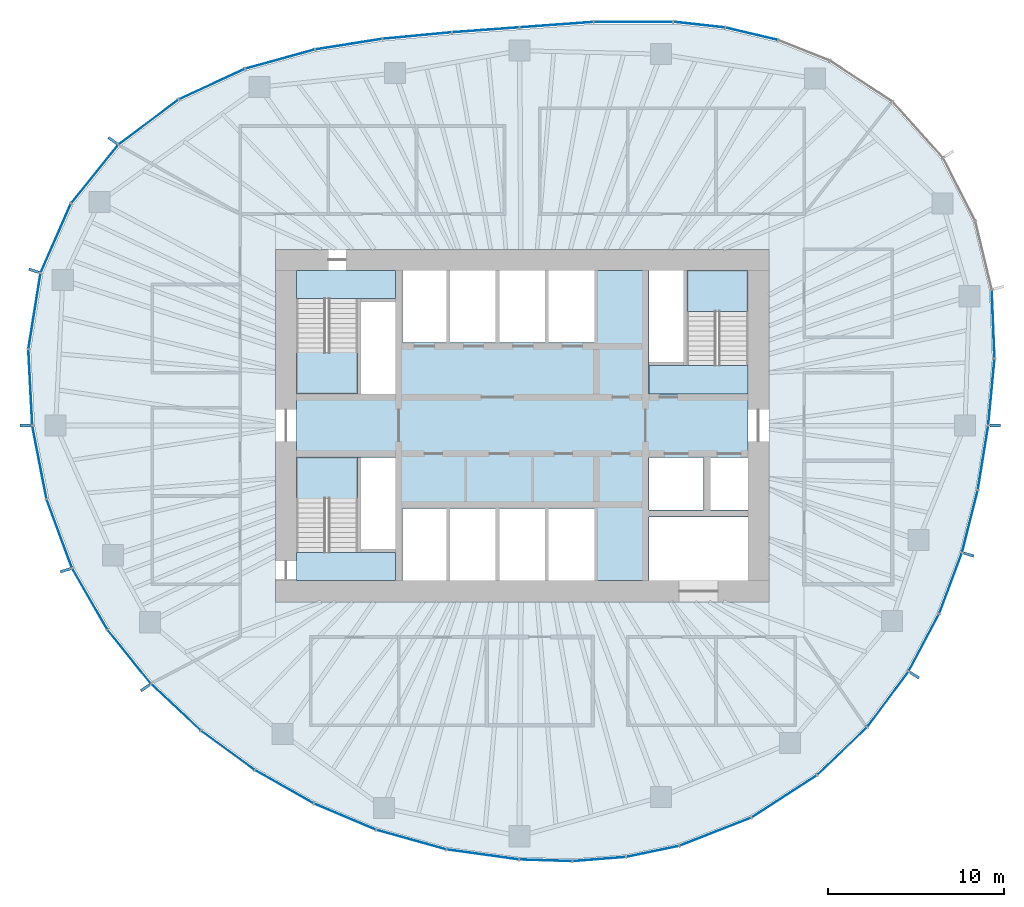
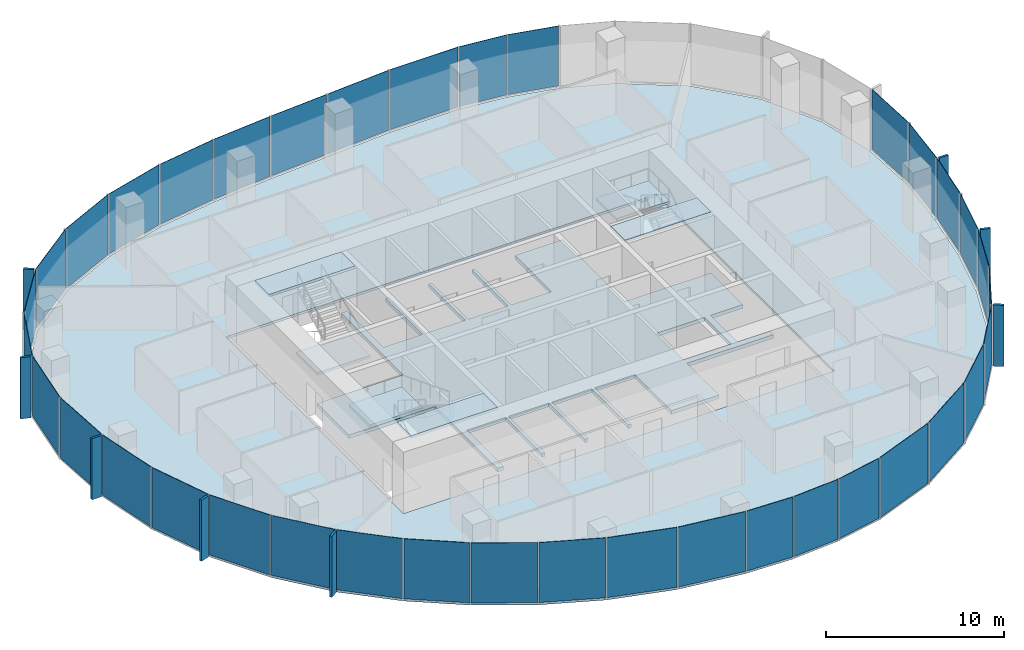
# One storey, part 7 of 12: 45 plates, 8 slabs, 21 elements without a shape of their own.
"""IFC4 building model written with IfcOpenShell, lengths in metres."""

from ifc_helpers import new_model, si_unit, direction, frame, origin, origin_2d, place, context, subcontext, project, spatial, polyline, rectangle, outline, extrude, material, layer, layer_set, type_object, element, aggregate, save


model = new_model("IFC4")

# Units and contexts
model_context = context("Model", 3, precision=1e-05, world=origin(), true_north=direction((0.0, 1.0)))
body_context = subcontext(model_context, "Body", "Model", "MODEL_VIEW")
ifc_project = project(units=[si_unit("LENGTHUNIT", "METRE"), si_unit("AREAUNIT", "SQUARE_METRE"), si_unit("VOLUMEUNIT", "CUBIC_METRE"), si_unit("PLANEANGLEUNIT", "RADIAN"), si_unit("MASSUNIT", "GRAM", prefix="KILO")], contexts=[model_context])

# Site, building, storey
site_placement = place(None, origin())
site = spatial("IfcSite", under=ifc_project, at=site_placement, CompositionType="ELEMENT")
building_placement = place(site_placement, origin())
building = spatial("IfcBuilding", under=site, at=building_placement, Name="Ghaith Harvest Tower", CompositionType="ELEMENT")
storey_placement = place(building_placement, frame((0.0, 0.0, 249.39990234375)))
storey = spatial("IfcBuildingStorey", under=building, at=storey_placement, Name="L55", CompositionType="ELEMENT", Elevation=249.39990234375)

# Curtain wall, plates
ifc_material_1 = material(Name="Black anodised aluminium and fritted glass", Category="aluminium")
curtain_wall_type = type_object("IfcCurtainWallType", Name="CW-H CURTAIN WALL", PredefinedType="NOTDEFINED", material=ifc_material_1)
curtain_wall_1_placement = place(storey_placement, origin())
curtain_wall_1 = element("IfcCurtainWall", 1, at=curtain_wall_1_placement, inside=storey, type_object=curtain_wall_type, Name="Curtain wall CW-H bay 01 L55", PredefinedType="NOTDEFINED")
ifc_material_2 = material(Name="Glass, dark solar-control fritted double glazed unit", Category="glass")
ifc_layer_1 = layer(ifc_material_2, 0.030029296875)
ifc_layer_set_1 = layer_set([ifc_layer_1], Name="CW-H VISION PANEL")
plate_type_1 = type_object("IfcPlateType", Name="CW-H VISION PANEL", PredefinedType="CURTAIN_PANEL", material=ifc_layer_set_1)
plate_1_placement = place(storey_placement, frame((26.624755859375, 1.89794921875, 0.080078125), z_axis=(0.0, 0.0, 1.0), x_axis=(0.094301909937, 0.995543645343, 0.0)))
plate_1 = element("IfcPlate", 2, at=plate_1_placement, type_object=plate_type_1, Name="CW-H glass unit 1 bay 01 L55", PredefinedType="CURTAIN_PANEL", context=body_context, shape_type="SweptSolid", body=[
    extrude(rectangle(XDim=3.73291015625, YDim=0.030029296875, at=origin_2d()), origin(), (0.0, 0.0, 1.0), 4.1201171875),
])
plate_2_placement = place(storey_placement, frame((26.7255859375, 5.74853515625, 0.080078125), z_axis=(0.0, 0.0, 1.0), x_axis=(-0.040462173218, 0.999181070947, 0.0)))
plate_2 = element("IfcPlate", 3, at=plate_2_placement, type_object=plate_type_1, Name="CW-H glass unit 2 bay 01 L55", PredefinedType="CURTAIN_PANEL", context=body_context, shape_type="SweptSolid", body=[
    extrude(rectangle(XDim=3.82861328125, YDim=0.030029296875, at=origin_2d()), origin(), (0.0, 0.0, 1.0), 4.1201171875),
])
aggregate(curtain_wall_1, [plate_1, plate_2])

curtain_wall_2_placement = place(storey_placement, origin())
curtain_wall_2 = element("IfcCurtainWall", 4, at=curtain_wall_2_placement, inside=storey, type_object=curtain_wall_type, Name="Curtain wall CW-H bay 04 L55", PredefinedType="NOTDEFINED")
plate_3_placement = place(storey_placement, frame((13.027099609375, 22.225341796875, 0.080078125), z_axis=(0.0, 0.0, 1.0), x_axis=(-0.973266235028, 0.229679854916, 0.0)))
plate_3 = element("IfcPlate", 5, at=plate_3_placement, type_object=plate_type_1, Name="CW-H glass unit 2 bay 04 L55", PredefinedType="CURTAIN_PANEL", context=body_context, shape_type="SweptSolid", body=[
    extrude(rectangle(XDim=3.00244140625, YDim=0.030029296875, at=origin_2d()), origin(), (0.0, 0.0, 1.0), 4.1201171875),
])
plate_4_placement = place(storey_placement, frame((10.045654296875, 22.744384765625, 0.080078125), z_axis=(0.0, 0.0, 1.0), x_axis=(-0.993865217442, 0.11059805405, 0.0)))
plate_4 = element("IfcPlate", 6, at=plate_4_placement, type_object=plate_type_1, Name="CW-H glass unit 3 bay 04 L55", PredefinedType="CURTAIN_PANEL", context=body_context, shape_type="SweptSolid", body=[
    extrude(rectangle(XDim=2.901123046875, YDim=0.030029296875, at=origin_2d()), origin(), (0.0, 0.0, 1.0), 4.1201171875),
])
aggregate(curtain_wall_2, [plate_3, plate_4])

curtain_wall_3_placement = place(storey_placement, origin())
curtain_wall_3 = element("IfcCurtainWall", 7, at=curtain_wall_3_placement, inside=storey, type_object=curtain_wall_type, Name="Curtain wall CW-H bay 05 L55", PredefinedType="NOTDEFINED")
plate_5_placement = place(storey_placement, frame((6.31201171875, 22.904296875, 0.080078125), z_axis=(0.0, 0.0, 1.0), x_axis=(-0.999997643645, -0.002170876291, 0.0)))
plate_5 = element("IfcPlate", 8, at=plate_5_placement, type_object=plate_type_1, Name="CW-H glass unit 1 bay 05 L55", PredefinedType="CURTAIN_PANEL", context=body_context, shape_type="SweptSolid", body=[
    extrude(rectangle(XDim=4.4248046875, YDim=0.030029296875, at=origin_2d()), origin(), (0.0, 0.0, 1.0), 4.1201171875),
])
plate_6_placement = place(storey_placement, frame((1.952392578125, 22.744873046875, 0.080078125), z_axis=(0.0, 0.0, 1.0), x_axis=(-0.997324570719, -0.073100619976, 0.0)))
plate_6 = element("IfcPlate", 9, at=plate_6_placement, type_object=plate_type_1, Name="CW-H glass unit 2 bay 05 L55", PredefinedType="CURTAIN_PANEL", context=body_context, shape_type="SweptSolid", body=[
    extrude(rectangle(XDim=4.1455078125, YDim=0.030029296875, at=origin_2d()), origin(), (0.0, 0.0, 1.0), 4.1201171875),
])
aggregate(curtain_wall_3, [plate_5, plate_6])

curtain_wall_4_placement = place(storey_placement, origin())
curtain_wall_4 = element("IfcCurtainWall", 10, at=curtain_wall_4_placement, inside=storey, type_object=curtain_wall_type, Name="Curtain wall CW-H bay 06 L55", PredefinedType="NOTDEFINED")
plate_7_placement = place(storey_placement, frame((-2.0693359375, 22.450439453125, 0.080078125), z_axis=(0.0, 0.0, 1.0), x_axis=(-0.997334393671, -0.072966479985, 0.0)))
plate_7 = element("IfcPlate", 11, at=plate_7_placement, type_object=plate_type_1, Name="CW-H glass unit 1 bay 06 L55", PredefinedType="CURTAIN_PANEL", context=body_context, shape_type="SweptSolid", body=[
    extrude(rectangle(XDim=3.759765625, YDim=0.030029296875, at=origin_2d()), origin(), (0.0, 0.0, 1.0), 4.1201171875),
])
plate_8_placement = place(storey_placement, frame((-5.954345703125, 22.12548828125, 0.080078125), z_axis=(0.0, 0.0, 1.0), x_axis=(-0.995631991968, -0.093364535934, 0.0)))
plate_8 = element("IfcPlate", 12, at=plate_8_placement, type_object=plate_type_1, Name="CW-H glass unit 2 bay 06 L55", PredefinedType="CURTAIN_PANEL", context=body_context, shape_type="SweptSolid", body=[
    extrude(rectangle(XDim=3.87744140625, YDim=0.030029296875, at=origin_2d()), origin(), (0.0, 0.0, 1.0), 4.1201171875),
])
aggregate(curtain_wall_4, [plate_7, plate_8])

curtain_wall_5_placement = place(storey_placement, origin())
curtain_wall_5 = element("IfcCurtainWall", 13, at=curtain_wall_5_placement, inside=storey, type_object=curtain_wall_type, Name="Curtain wall CW-H bay 07 L55", PredefinedType="NOTDEFINED")
plate_9_placement = place(storey_placement, frame((-9.83837890625, 21.638671875, 0.080078125), z_axis=(0.0, 0.0, 1.0), x_axis=(-0.98777033338, -0.155915901993, 0.0)))
plate_9 = element("IfcPlate", 14, at=plate_9_placement, type_object=plate_type_1, Name="CW-H glass unit 1 bay 07 L55", PredefinedType="CURTAIN_PANEL", context=body_context, shape_type="SweptSolid", body=[
    extrude(rectangle(XDim=3.795166015625, YDim=0.030029296875, at=origin_2d()), origin(), (0.0, 0.0, 1.0), 4.1201171875),
])
plate_10_placement = place(storey_placement, frame((-13.736572265625, 20.78955078125, 0.080078125), z_axis=(0.0, 0.0, 1.0), x_axis=(-0.964034113875, -0.26577853052, 0.0)))
plate_10 = element("IfcPlate", 15, at=plate_10_placement, type_object=plate_type_1, Name="CW-H glass unit 2 bay 07 L55", PredefinedType="CURTAIN_PANEL", context=body_context, shape_type="SweptSolid", body=[
    extrude(rectangle(XDim=4.03662109375, YDim=0.030029296875, at=origin_2d()), origin(), (0.0, 0.0, 1.0), 4.1201171875),
])
aggregate(curtain_wall_5, [plate_9, plate_10])

curtain_wall_6_placement = place(storey_placement, origin())
curtain_wall_6 = element("IfcCurtainWall", 16, at=curtain_wall_6_placement, inside=storey, type_object=curtain_wall_type, Name="Curtain wall CW-H bay 08 L55", PredefinedType="NOTDEFINED")
plate_11_placement = place(storey_placement, frame((-17.608154296875, 19.370849609375, 0.080078125), z_axis=(0.0, 0.0, 1.0), x_axis=(-0.907814470414, -0.419372015408, 0.0)))
plate_11 = element("IfcPlate", 17, at=plate_11_placement, type_object=plate_type_1, Name="CW-H glass unit 1 bay 08 L55", PredefinedType="CURTAIN_PANEL", context=body_context, shape_type="SweptSolid", body=[
    extrude(rectangle(XDim=4.077392578125, YDim=0.030029296875, at=origin_2d()), origin(), (0.0, 0.0, 1.0), 4.1201171875),
])
plate_12_placement = place(storey_placement, frame((-21.20166015625, 17.219482421875, 0.080078125), z_axis=(0.0, 0.0, 1.0), x_axis=(-0.800067053187, -0.599910585341, 0.0)))
plate_12 = element("IfcPlate", 18, at=plate_12_placement, type_object=plate_type_1, Name="CW-H glass unit 2 bay 08 L55", PredefinedType="CURTAIN_PANEL", context=body_context, shape_type="SweptSolid", body=[
    extrude(rectangle(XDim=4.18603515625, YDim=0.030029296875, at=origin_2d()), origin(), (0.0, 0.0, 1.0), 4.1201171875),
])
aggregate(curtain_wall_6, [plate_11, plate_12])

curtain_wall_7_placement = place(storey_placement, origin())
curtain_wall_7 = element("IfcCurtainWall", 19, at=curtain_wall_7_placement, inside=storey, type_object=curtain_wall_type, Name="Curtain wall CW-H bay 09 L55", PredefinedType="NOTDEFINED")
plate_13_placement = place(storey_placement, frame((-24.25390625, 14.270263671875, 0.080078125), z_axis=(0.0, 0.0, 1.0), x_axis=(-0.627547637499, -0.778578167347, 0.0)))
plate_13 = element("IfcPlate", 20, at=plate_13_placement, type_object=plate_type_1, Name="CW-H glass unit 1 bay 09 L55", PredefinedType="CURTAIN_PANEL", context=body_context, shape_type="SweptSolid", body=[
    extrude(rectangle(XDim=4.208740234375, YDim=0.030029296875, at=origin_2d()), origin(), (0.0, 0.0, 1.0), 4.1201171875),
])
plate_14_placement = place(storey_placement, frame((-26.462646484375, 10.63037109375, 0.080078125), z_axis=(0.0, 0.0, 1.0), x_axis=(-0.40121291108, -0.915984825192, 0.0)))
plate_14 = element("IfcPlate", 21, at=plate_14_placement, type_object=plate_type_1, Name="CW-H glass unit 2 bay 09 L55", PredefinedType="CURTAIN_PANEL", context=body_context, shape_type="SweptSolid", body=[
    extrude(rectangle(XDim=4.22216796875, YDim=0.030029296875, at=origin_2d()), origin(), (0.0, 0.0, 1.0), 4.1201171875),
])
aggregate(curtain_wall_7, [plate_13, plate_14])

curtain_wall_8_placement = place(storey_placement, origin())
curtain_wall_8 = element("IfcCurtainWall", 22, at=curtain_wall_8_placement, inside=storey, type_object=curtain_wall_type, Name="Curtain wall CW-H bay 10 L55", PredefinedType="NOTDEFINED")
plate_15_placement = place(storey_placement, frame((-27.670654296875, 6.49658203125, 0.080078125), z_axis=(0.0, 0.0, 1.0), x_axis=(-0.157514341695, -0.987516699687, 0.0)))
plate_15 = element("IfcPlate", 23, at=plate_15_placement, type_object=plate_type_1, Name="CW-H glass unit 1 bay 10 L55", PredefinedType="CURTAIN_PANEL", context=body_context, shape_type="SweptSolid", body=[
    extrude(rectangle(XDim=4.301513671875, YDim=0.030029296875, at=origin_2d()), origin(), (0.0, 0.0, 1.0), 4.1201171875),
])
plate_16_placement = place(storey_placement, frame((-27.905517578125, 2.16650390625, 0.080078125), z_axis=(0.0, 0.0, 1.0), x_axis=(0.050894857592, -0.998704016949, 0.0)))
plate_16 = element("IfcPlate", 24, at=plate_16_placement, type_object=plate_type_1, Name="CW-H glass unit 2 bay 10 L55", PredefinedType="CURTAIN_PANEL", context=body_context, shape_type="SweptSolid", body=[
    extrude(rectangle(XDim=4.2587890625, YDim=0.030029296875, at=origin_2d()), origin(), (0.0, 0.0, 1.0), 4.1201171875),
])
aggregate(curtain_wall_8, [plate_15, plate_16])

curtain_wall_9_placement = place(storey_placement, origin())
curtain_wall_9 = element("IfcCurtainWall", 25, at=curtain_wall_9_placement, inside=storey, type_object=curtain_wall_type, Name="Curtain wall CW-H bay 11 L55", PredefinedType="NOTDEFINED")
plate_17_placement = place(storey_placement, frame((-27.39013671875, -2.0869140625, 0.080078125), z_axis=(0.0, 0.0, 1.0), x_axis=(0.190426809322, -0.981701395686, 0.0)))
plate_17 = element("IfcPlate", 26, at=plate_17_placement, type_object=plate_type_1, Name="CW-H glass unit 1 bay 11 L55", PredefinedType="CURTAIN_PANEL", context=body_context, shape_type="SweptSolid", body=[
    extrude(rectangle(XDim=4.171630859375, YDim=0.030029296875, at=origin_2d()), origin(), (0.0, 0.0, 1.0), 4.1201171875),
])
plate_18_placement = place(storey_placement, frame((-26.261962890625, -6.1337890625, 0.080078125), z_axis=(0.0, 0.0, 1.0), x_axis=(0.346303431688, -0.938122557666, 0.0)))
plate_18 = element("IfcPlate", 27, at=plate_18_placement, type_object=plate_type_1, Name="CW-H glass unit 2 bay 11 L55", PredefinedType="CURTAIN_PANEL", context=body_context, shape_type="SweptSolid", body=[
    extrude(rectangle(XDim=4.098388671875, YDim=0.030029296875, at=origin_2d()), origin(), (0.0, 0.0, 1.0), 4.1201171875),
])
aggregate(curtain_wall_9, [plate_17, plate_18])

curtain_wall_10_placement = place(storey_placement, origin())
curtain_wall_10 = element("IfcCurtainWall", 28, at=curtain_wall_10_placement, inside=storey, type_object=curtain_wall_type, Name="Curtain wall CW-H bay 12 L55", PredefinedType="NOTDEFINED")
plate_19_placement = place(storey_placement, frame((-24.535888671875, -9.838623046875, 0.080078125), z_axis=(0.0, 0.0, 1.0), x_axis=(0.49818018945, -0.867073525625, 0.0)))
plate_19 = element("IfcPlate", 29, at=plate_19_placement, type_object=plate_type_1, Name="CW-H glass unit 1 bay 12 L55", PredefinedType="CURTAIN_PANEL", context=body_context, shape_type="SweptSolid", body=[
    extrude(rectangle(XDim=3.945068359375, YDim=0.030029296875, at=origin_2d()), origin(), (0.0, 0.0, 1.0), 4.1201171875),
])
plate_20_placement = place(storey_placement, frame((-22.29736328125, -13.119140625, 0.080078125), z_axis=(0.0, 0.0, 1.0), x_axis=(0.626957061695, -0.779053812513, 0.0)))
plate_20 = element("IfcPlate", 30, at=plate_20_placement, type_object=plate_type_1, Name="CW-H glass unit 2 bay 12 L55", PredefinedType="CURTAIN_PANEL", context=body_context, shape_type="SweptSolid", body=[
    extrude(rectangle(XDim=3.8623046875, YDim=0.030029296875, at=origin_2d()), origin(), (0.0, 0.0, 1.0), 4.1201171875),
])
aggregate(curtain_wall_10, [plate_19, plate_20])

curtain_wall_11_placement = place(storey_placement, origin())
curtain_wall_11 = element("IfcCurtainWall", 31, at=curtain_wall_11_placement, inside=storey, type_object=curtain_wall_type, Name="Curtain wall CW-H bay 13 L55", PredefinedType="NOTDEFINED")
plate_21_placement = place(storey_placement, frame((-19.649658203125, -15.98046875, 0.080078125), z_axis=(0.0, 0.0, 1.0), x_axis=(0.729016864325, -0.684495735217, 0.0)))
plate_21 = element("IfcPlate", 32, at=plate_21_placement, type_object=plate_type_1, Name="CW-H glass unit 1 bay 13 L55", PredefinedType="CURTAIN_PANEL", context=body_context, shape_type="SweptSolid", body=[
    extrude(rectangle(XDim=3.793212890625, YDim=0.030029296875, at=origin_2d()), origin(), (0.0, 0.0, 1.0), 4.1201171875),
])
plate_22_placement = place(storey_placement, frame((-16.707763671875, -18.42431640625, 0.080078125), z_axis=(0.0, 0.0, 1.0), x_axis=(0.80736351134, -0.590054370848, 0.0)))
plate_22 = element("IfcPlate", 33, at=plate_22_placement, type_object=plate_type_1, Name="CW-H glass unit 2 bay 13 L55", PredefinedType="CURTAIN_PANEL", context=body_context, shape_type="SweptSolid", body=[
    extrude(rectangle(XDim=3.710693359375, YDim=0.030029296875, at=origin_2d()), origin(), (0.0, 0.0, 1.0), 4.1201171875),
])
aggregate(curtain_wall_11, [plate_21, plate_22])

curtain_wall_12_placement = place(storey_placement, origin())
curtain_wall_12 = element("IfcCurtainWall", 34, at=curtain_wall_12_placement, inside=storey, type_object=curtain_wall_type, Name="Curtain wall CW-H bay 14 L55", PredefinedType="NOTDEFINED")
plate_23_placement = place(storey_placement, frame((-13.496337890625, -20.496826171875, 0.080078125), z_axis=(0.0, 0.0, 1.0), x_axis=(0.869715300233, -0.493553742303, 0.0)))
plate_23 = element("IfcPlate", 35, at=plate_23_placement, type_object=plate_type_1, Name="CW-H glass unit 1 bay 14 L55", PredefinedType="CURTAIN_PANEL", context=body_context, shape_type="SweptSolid", body=[
    extrude(rectangle(XDim=3.785888671875, YDim=0.030029296875, at=origin_2d()), origin(), (0.0, 0.0, 1.0), 4.1201171875),
])
plate_24_placement = place(storey_placement, frame((-10.050537109375, -22.1962890625, 0.080078125), z_axis=(0.0, 0.0, 1.0), x_axis=(0.921181516072, -0.389133157734, 0.0)))
plate_24 = element("IfcPlate", 36, at=plate_24_placement, type_object=plate_type_1, Name="CW-H glass unit 2 bay 14 L55", PredefinedType="CURTAIN_PANEL", context=body_context, shape_type="SweptSolid", body=[
    extrude(rectangle(XDim=3.751220703125, YDim=0.030029296875, at=origin_2d()), origin(), (0.0, 0.0, 1.0), 4.1201171875),
])
aggregate(curtain_wall_12, [plate_23, plate_24])

curtain_wall_13_placement = place(storey_placement, origin())
curtain_wall_13 = element("IfcCurtainWall", 37, at=curtain_wall_13_placement, inside=storey, type_object=curtain_wall_type, Name="Curtain wall CW-H bay 15 L55", PredefinedType="NOTDEFINED")
plate_25_placement = place(storey_placement, frame((-6.291015625, -23.49853515625, 0.080078125), z_axis=(0.0, 0.0, 1.0), x_axis=(0.963162861349, -0.268918765647, 0.0)))
plate_25 = element("IfcPlate", 38, at=plate_25_placement, type_object=plate_type_1, Name="CW-H glass unit 1 bay 15 L55", PredefinedType="CURTAIN_PANEL", context=body_context, shape_type="SweptSolid", body=[
    extrude(rectangle(XDim=4.062744140625, YDim=0.030029296875, at=origin_2d()), origin(), (0.0, 0.0, 1.0), 4.1201171875),
])
plate_26_placement = place(storey_placement, frame((-2.232177734375, -24.34033203125, 0.080078125), z_axis=(0.0, 0.0, 1.0), x_axis=(0.990612268407, -0.136701622823, 0.0)))
plate_26 = element("IfcPlate", 39, at=plate_26_placement, type_object=plate_type_1, Name="CW-H glass unit 2 bay 15 L55", PredefinedType="CURTAIN_PANEL", context=body_context, shape_type="SweptSolid", body=[
    extrude(rectangle(XDim=4.08642578125, YDim=0.030029296875, at=origin_2d()), origin(), (0.0, 0.0, 1.0), 4.1201171875),
])
aggregate(curtain_wall_13, [plate_25, plate_26])

curtain_wall_14_placement = place(storey_placement, origin())
curtain_wall_14 = element("IfcCurtainWall", 40, at=curtain_wall_14_placement, inside=storey, type_object=curtain_wall_type, Name="Curtain wall CW-H bay 16 L55", PredefinedType="NOTDEFINED")
plate_27_placement = place(storey_placement, frame((1.339599609375, -24.67333984375, 0.080078125), z_axis=(0.0, 0.0, 1.0), x_axis=(0.99949125523, -0.031894054587, 0.0)))
plate_27 = element("IfcPlate", 41, at=plate_27_placement, type_object=plate_type_1, Name="CW-H glass unit 1 bay 16 L55", PredefinedType="CURTAIN_PANEL", context=body_context, shape_type="SweptSolid", body=[
    extrude(rectangle(XDim=2.937744140625, YDim=0.030029296875, at=origin_2d()), origin(), (0.0, 0.0, 1.0), 4.1201171875),
])
plate_28_placement = place(storey_placement, frame((4.37060546875, -24.60205078125, 0.080078125), z_axis=(0.0, 0.0, 1.0), x_axis=(0.996945418782, 0.078101421048, 0.0)))
plate_28 = element("IfcPlate", 42, at=plate_28_placement, type_object=plate_type_1, Name="CW-H glass unit 2 bay 16 L55", PredefinedType="CURTAIN_PANEL", context=body_context, shape_type="SweptSolid", body=[
    extrude(rectangle(XDim=2.974853515625, YDim=0.030029296875, at=origin_2d()), origin(), (0.0, 0.0, 1.0), 4.1201171875),
])
plate_29_placement = place(storey_placement, frame((7.40478515625, -24.16650390625, 0.080078125), z_axis=(0.0, 0.0, 1.0), x_axis=(0.978788872874, 0.204871526422, 0.0)))
plate_29 = element("IfcPlate", 43, at=plate_29_placement, type_object=plate_type_1, Name="CW-H glass unit 3 bay 16 L55", PredefinedType="CURTAIN_PANEL", context=body_context, shape_type="SweptSolid", body=[
    extrude(rectangle(XDim=3.00830078125, YDim=0.030029296875, at=origin_2d()), origin(), (0.0, 0.0, 1.0), 4.1201171875),
])
aggregate(curtain_wall_14, [plate_27, plate_28, plate_29])

curtain_wall_15_placement = place(storey_placement, origin())
curtain_wall_15 = element("IfcCurtainWall", 44, at=curtain_wall_15_placement, inside=storey, type_object=curtain_wall_type, Name="Curtain wall CW-H bay 17 L55", PredefinedType="NOTDEFINED")
plate_30_placement = place(storey_placement, frame((10.963134765625, -23.048583984375, 0.080078125), z_axis=(0.0, 0.0, 1.0), x_axis=(0.931161161765, 0.364607858966, 0.0)))
plate_30 = element("IfcPlate", 45, at=plate_30_placement, type_object=plate_type_1, Name="CW-H glass unit 1 bay 17 L55", PredefinedType="CURTAIN_PANEL", context=body_context, shape_type="SweptSolid", body=[
    extrude(rectangle(XDim=4.316650390625, YDim=0.030029296875, at=origin_2d()), origin(), (0.0, 0.0, 1.0), 4.1201171875),
])
plate_31_placement = place(storey_placement, frame((14.869384765625, -21.042724609375, 0.080078125), z_axis=(0.0, 0.0, 1.0), x_axis=(0.839305300126, 0.543660384045, 0.0)))
plate_31 = element("IfcPlate", 46, at=plate_31_placement, type_object=plate_type_1, Name="CW-H glass unit 2 bay 17 L55", PredefinedType="CURTAIN_PANEL", context=body_context, shape_type="SweptSolid", body=[
    extrude(rectangle(XDim=4.35107421875, YDim=0.030029296875, at=origin_2d()), origin(), (0.0, 0.0, 1.0), 4.1201171875),
])
aggregate(curtain_wall_15, [plate_30, plate_31])

curtain_wall_16_placement = place(storey_placement, origin())
curtain_wall_16 = element("IfcCurtainWall", 47, at=curtain_wall_16_placement, inside=storey, type_object=curtain_wall_type, Name="Curtain wall CW-H bay 18 L55", PredefinedType="NOTDEFINED")
plate_32_placement = place(storey_placement, frame((18.151611328125, -18.47705078125, 0.080078125), z_axis=(0.0, 0.0, 1.0), x_axis=(0.722532585058, 0.691336866896, 0.0)))
plate_32 = element("IfcPlate", 48, at=plate_32_placement, type_object=plate_type_1, Name="CW-H glass unit 1 bay 18 L55", PredefinedType="CURTAIN_PANEL", context=body_context, shape_type="SweptSolid", body=[
    extrude(rectangle(XDim=3.85791015625, YDim=0.030029296875, at=origin_2d()), origin(), (0.0, 0.0, 1.0), 4.1201171875),
])
plate_33_placement = place(storey_placement, frame((20.74853515625, -15.53369140625, 0.080078125), z_axis=(0.0, 0.0, 1.0), x_axis=(0.596018639888, 0.802970597784, 0.0)))
plate_33 = element("IfcPlate", 49, at=plate_33_placement, type_object=plate_type_1, Name="CW-H glass unit 2 bay 18 L55", PredefinedType="CURTAIN_PANEL", context=body_context, shape_type="SweptSolid", body=[
    extrude(rectangle(XDim=3.8603515625, YDim=0.030029296875, at=origin_2d()), origin(), (0.0, 0.0, 1.0), 4.1201171875),
])
aggregate(curtain_wall_16, [plate_32, plate_33])

curtain_wall_17_placement = place(storey_placement, origin())
curtain_wall_17 = element("IfcCurtainWall", 50, at=curtain_wall_17_placement, inside=storey, type_object=curtain_wall_type, Name="Curtain wall CW-H bay 19 L55", PredefinedType="NOTDEFINED")
plate_34_placement = place(storey_placement, frame((22.79052734375, -12.316162109375, 0.080078125), z_axis=(0.0, 0.0, 1.0), x_axis=(0.46864379564, 0.883387226989, 0.0)))
plate_34 = element("IfcPlate", 51, at=plate_34_placement, type_object=plate_type_1, Name="CW-H glass unit 1 bay 19 L55", PredefinedType="CURTAIN_PANEL", context=body_context, shape_type="SweptSolid", body=[
    extrude(rectangle(XDim=3.623291015625, YDim=0.030029296875, at=origin_2d()), origin(), (0.0, 0.0, 1.0), 4.1201171875),
])
plate_35_placement = place(storey_placement, frame((24.30712890625, -8.946533203125, 0.080078125), z_axis=(0.0, 0.0, 1.0), x_axis=(0.350480749824, 0.936569935457, 0.0)))
plate_35 = element("IfcPlate", 52, at=plate_35_placement, type_object=plate_type_1, Name="CW-H glass unit 2 bay 19 L55", PredefinedType="CURTAIN_PANEL", context=body_context, shape_type="SweptSolid", body=[
    extrude(rectangle(XDim=3.62255859375, YDim=0.030029296875, at=origin_2d()), origin(), (0.0, 0.0, 1.0), 4.1201171875),
])
aggregate(curtain_wall_17, [plate_34, plate_35])

curtain_wall_18_placement = place(storey_placement, origin())
curtain_wall_18 = element("IfcCurtainWall", 53, at=curtain_wall_18_placement, inside=storey, type_object=curtain_wall_type, Name="Curtain wall CW-H bay 20 L55", PredefinedType="NOTDEFINED")
plate_36_placement = place(storey_placement, frame((25.404541015625, -5.43701171875, 0.080078125), z_axis=(0.0, 0.0, 1.0), x_axis=(0.244925945134, 0.969541789404, 0.0)))
plate_36 = element("IfcPlate", 54, at=plate_36_placement, type_object=plate_type_1, Name="CW-H glass unit 1 bay 20 L55", PredefinedType="CURTAIN_PANEL", context=body_context, shape_type="SweptSolid", body=[
    extrude(rectangle(XDim=3.583251953125, YDim=0.030029296875, at=origin_2d()), origin(), (0.0, 0.0, 1.0), 4.1201171875),
])
plate_37_placement = place(storey_placement, frame((26.14892578125, -1.83056640625, 0.080078125), z_axis=(0.0, 0.0, 1.0), x_axis=(0.159600748097, 0.987181645497, 0.0)))
plate_37 = element("IfcPlate", 55, at=plate_37_placement, type_object=plate_type_1, Name="CW-H glass unit 2 bay 20 L55", PredefinedType="CURTAIN_PANEL", context=body_context, shape_type="SweptSolid", body=[
    extrude(rectangle(XDim=3.628662109375, YDim=0.030029296875, at=origin_2d()), origin(), (0.0, 0.0, 1.0), 4.1201171875),
])
aggregate(curtain_wall_18, [plate_36, plate_37])

# Slabs
ifc_material_3 = material(Name="Concrete C40/50", Category="concrete")
ifc_layer_2 = layer(ifc_material_3, 0.169921875)
ifc_layer_set_2 = layer_set([ifc_layer_2], Name="FLOOR SLAB 170")
slab_type_1 = type_object("IfcSlabType", Name="FLOOR SLAB 170", PredefinedType="FLOOR", material=ifc_layer_set_2)
slab_1_placement = place(storey_placement, frame((0.0, 0.0, -0.169921875)))
element("IfcSlab", 56, at=slab_1_placement, inside=storey, type_object=slab_type_1, Name="Floor slab L55", PredefinedType="FLOOR", context=body_context, shape_type="SweptSolid", body=[
    extrude(outline(polyline([(26.324951171875, 0.0), (26.685791015625, 3.779052734375), (26.531005859375, 7.668212890625), (25.597900390625, 11.55615234375), (23.77294921875, 15.12939453125), (20.923095703125, 18.295166015625), (17.382080078125, 20.612548828125), (14.460693359375, 21.771484375), (11.47265625, 22.47265625), (8.522216796875, 22.796875), (4.03857421875, 22.78125), (-0.15380859375, 22.470458984375), (-3.963134765625, 22.192138671875), (-7.8837890625, 21.827880859375), (-11.694580078125, 21.2314453125), (-15.6474609375, 20.147705078125), (-19.408203125, 18.41650390625), (-22.809814453125, 15.87109375), (-25.491943359375, 12.547607421875), (-27.211181640625, 8.623779296875), (-27.897216796875, 4.314697265625), (-27.675048828125, 0.0), (-26.86669921875, -4.155517578125), (-25.424072265625, -8.057373046875), (-23.425537109375, -11.530517578125), (-20.963134765625, -14.586181640625), (-18.15087890625, -17.223388671875), (-15.10400390625, -19.447998046875), (-11.75732421875, -21.345703125), (-8.2451171875, -22.82861328125), (-4.27490234375, -23.9375), (-0.167724609375, -24.505126953125), (2.833984375, -24.602294921875), (5.865234375, -24.3662109375), (8.8740234375, -23.73779296875), (12.949462890625, -22.1435546875), (16.651611328125, -19.746337890625), (19.48388671875, -17.036865234375), (21.821533203125, -13.887451171875), (23.548828125, -10.631103515625), (24.840576171875, -7.179443359375), (25.734375, -3.644287109375), (26.324951171875, 0.0)]), holes=[polyline([(-14.0, -10.0), (14.0, -10.0), (14.0, 10.0), (-14.0, 10.0), (-14.0, -10.0)])]), origin(), (0.0, 0.0, 1.0), 0.169921875),
])
ifc_material_4 = material(Name="Concrete C40/50", Category="concrete")
ifc_layer_3 = layer(ifc_material_4, 0.25)
ifc_layer_set_3 = layer_set([ifc_layer_3], Name="FLOOR SLAB 250")
slab_type_2 = type_object("IfcSlabType", Name="FLOOR SLAB 250", PredefinedType="FLOOR", material=ifc_layer_set_3)
slab_2_placement = place(storey_placement, frame((0.0, 0.0, -0.25)))
element("IfcSlab", 57, at=slab_2_placement, inside=storey, type_object=slab_type_2, Name="Core slab L55", PredefinedType="FLOOR", context=body_context, shape_type="SweptSolid", body=[
    extrude(outline(polyline([(-12.800048828125, 1.800048828125), (-7.199951171875, 1.800048828125), (-7.199951171875, 8.800048828125), (-6.800048828125, 8.800048828125), (-6.800048828125, 4.699951171875), (-4.300048828125, 4.699951171875), (-4.300048828125, 8.800048828125), (-4.10009765625, 8.800048828125), (-4.10009765625, 4.699951171875), (-1.5, 4.699951171875), (-1.5, 8.800048828125), (-1.300048828125, 8.800048828125), (-1.300048828125, 4.699951171875), (1.300048828125, 4.699951171875), (1.300048828125, 8.800048828125), (1.5, 8.800048828125), (1.5, 4.699951171875), (4.10009765625, 4.699951171875), (4.10009765625, 8.800048828125), (7.199951171875, 8.800048828125), (7.199951171875, 1.800048828125), (12.800048828125, 1.800048828125), (12.800048828125, -1.800048828125), (10.699951171875, -1.800048828125), (10.699951171875, -4.800048828125), (12.800048828125, -4.800048828125), (12.800048828125, -5.199951171875), (7.199951171875, -5.199951171875), (7.199951171875, -8.800048828125), (4.10009765625, -8.800048828125), (4.10009765625, -4.699951171875), (1.5, -4.699951171875), (1.5, -8.800048828125), (1.300048828125, -8.800048828125), (1.300048828125, -4.699951171875), (-1.300048828125, -4.699951171875), (-1.300048828125, -8.800048828125), (-1.5, -8.800048828125), (-1.5, -4.699951171875), (-4.10009765625, -4.699951171875), (-4.10009765625, -8.800048828125), (-4.300048828125, -8.800048828125), (-4.300048828125, -4.699951171875), (-6.800048828125, -4.699951171875), (-6.800048828125, -8.800048828125), (-7.199951171875, -8.800048828125), (-7.199951171875, -1.800048828125), (-12.800048828125, -1.800048828125), (-12.800048828125, 1.800048828125)]), holes=[polyline([(10.300048828125, -4.800048828125), (10.300048828125, -1.800048828125), (7.199951171875, -1.800048828125), (7.199951171875, -4.800048828125), (10.300048828125, -4.800048828125)])]), origin(), (0.0, 0.0, 1.0), 0.25),
])

# Stair, slabs
ifc_material_5 = material(Name="Concrete C40/50, precast", Category="concrete")
stair_type = type_object("IfcStairType", Name="CORE STAIR 24R", PredefinedType="HALF_TURN_STAIR", material=ifc_material_5)
stair_1_placement = place(storey_placement, origin())
stair_1 = element("IfcStair", 58, at=stair_1_placement, inside=storey, type_object=stair_type, Name="Stair ST1 L55", PredefinedType="HALF_TURN_STAIR")
ifc_material_6 = material(Name="Concrete C40/50, precast", Category="concrete")
ifc_layer_4 = layer(ifc_material_6, 0.179931640625)
ifc_layer_set_4 = layer_set([ifc_layer_4], Name="STAIR LANDING 180")
slab_type_3 = type_object("IfcSlabType", Name="STAIR LANDING 180", PredefinedType="LANDING", material=ifc_layer_set_4)
slab_3_placement = place(storey_placement, frame((0.0, 0.0, 1.920166015625)))
slab_3 = element("IfcSlab", 59, at=slab_3_placement, type_object=slab_type_3, Name="ST1 landing 1", PredefinedType="LANDING", context=body_context, shape_type="SweptSolid", body=[
    extrude(outline(polyline([(-12.800048828125, 4.139892578125), (-12.800048828125, 1.77490234375), (-9.35009765625, 1.77490234375), (-9.35009765625, 4.139892578125), (-12.800048828125, 4.139892578125)])), origin(), (0.0, 0.0, 1.0), 0.179931640625),
])
slab_4_placement = place(storey_placement, frame((0.0, 0.0, 4.02001953125)))
slab_4 = element("IfcSlab", 60, at=slab_4_placement, type_object=slab_type_3, Name="ST1 landing 2", PredefinedType="LANDING", context=body_context, shape_type="SweptSolid", body=[
    extrude(outline(polyline([(-12.800048828125, 8.800048828125), (-12.800048828125, 7.199951171875), (-7.199951171875, 7.199951171875), (-7.199951171875, 8.800048828125), (-12.800048828125, 8.800048828125)])), origin(), (0.0, 0.0, 1.0), 0.18017578125),
])
aggregate(stair_1, [slab_3, slab_4])

stair_2_placement = place(storey_placement, origin())
stair_2 = element("IfcStair", 61, at=stair_2_placement, inside=storey, type_object=stair_type, Name="Stair ST3 L55", PredefinedType="HALF_TURN_STAIR")
slab_5_placement = place(storey_placement, frame((0.0, 0.0, 1.920166015625)))
slab_5 = element("IfcSlab", 62, at=slab_5_placement, type_object=slab_type_3, Name="ST3 landing 1", PredefinedType="LANDING", context=body_context, shape_type="SweptSolid", body=[
    extrude(outline(polyline([(-12.800048828125, -4.139892578125), (-12.800048828125, -1.77490234375), (-9.35009765625, -1.77490234375), (-9.35009765625, -4.139892578125), (-12.800048828125, -4.139892578125)])), origin(), (0.0, 0.0, 1.0), 0.179931640625),
])
slab_6_placement = place(storey_placement, frame((0.0, 0.0, 4.02001953125)))
slab_6 = element("IfcSlab", 63, at=slab_6_placement, type_object=slab_type_3, Name="ST3 landing 2", PredefinedType="LANDING", context=body_context, shape_type="SweptSolid", body=[
    extrude(outline(polyline([(-12.800048828125, -8.800048828125), (-12.800048828125, -7.199951171875), (-7.199951171875, -7.199951171875), (-7.199951171875, -8.800048828125), (-12.800048828125, -8.800048828125)])), origin(), (0.0, 0.0, 1.0), 0.18017578125),
])
aggregate(stair_2, [slab_5, slab_6])

stair_3_placement = place(storey_placement, origin())
stair_3 = element("IfcStair", 64, at=stair_3_placement, inside=storey, type_object=stair_type, Name="Stair ST2 L55", PredefinedType="HALF_TURN_STAIR")
slab_7_placement = place(storey_placement, frame((0.0, 0.0, 1.920166015625)))
slab_7 = element("IfcSlab", 65, at=slab_7_placement, type_object=slab_type_3, Name="ST2 landing 1", PredefinedType="LANDING", context=body_context, shape_type="SweptSolid", body=[
    extrude(outline(polyline([(12.800048828125, 6.4599609375), (12.800048828125, 8.800048828125), (9.35009765625, 8.800048828125), (9.35009765625, 6.4599609375), (12.800048828125, 6.4599609375)])), origin(), (0.0, 0.0, 1.0), 0.179931640625),
])
slab_8_placement = place(storey_placement, frame((0.0, 0.0, 4.02001953125)))
slab_8 = element("IfcSlab", 66, at=slab_8_placement, type_object=slab_type_3, Name="ST2 landing 2", PredefinedType="LANDING", context=body_context, shape_type="SweptSolid", body=[
    extrude(outline(polyline([(12.800048828125, 1.800048828125), (12.800048828125, 3.39990234375), (7.199951171875, 3.39990234375), (7.199951171875, 1.800048828125), (12.800048828125, 1.800048828125)])), origin(), (0.0, 0.0, 1.0), 0.18017578125),
])
aggregate(stair_3, [slab_7, slab_8])

# Plates
ifc_material_7 = material(Name="Glassfibre-reinforced concrete", Category="concrete")
ifc_layer_5 = layer(ifc_material_7, 0.14990234375)
ifc_layer_set_5 = layer_set([ifc_layer_5], Name="SUN-BREAKER FIN 600x150")
plate_type_2 = type_object("IfcPlateType", Name="SUN-BREAKER FIN 600x150", PredefinedType="USERDEFINED", material=ifc_layer_set_5)
for number, where, z_axis, x_axis, name in (
    (67, (26.844970703125, 0.0, 0.0), (0.0, 0.0, 1.0), (1.0, 0.0, 0.0), "Sun-breaker fin CW-H 1 bay 01 L55"),
    (68, (-23.236572265625, 16.168212890625, 0.0), (0.0, 0.0, 1.0), (-0.820845486523, 0.571150319316, 0.0), "Sun-breaker fin CW-H 1 bay 09 L55"),
    (69, (-27.70703125, 8.78076171875, 0.0), (0.0, 0.0, 1.0), (-0.953273219358, 0.302109531884, 0.0), "Sun-breaker fin CW-H 1 bay 10 L55"),
    (70, (-28.195068359375, 0.0, 0.0), (0.0, 0.0, 1.0), (-1.0, -4.19e-10, 0.0), "Sun-breaker fin CW-H 1 bay 11 L55"),
    (71, (-25.919677734375, -8.21435546875, 0.0), (0.0, 0.0, 1.0), (-0.953273219416, -0.302109531701, 0.0), "Sun-breaker fin CW-H 1 bay 12 L55"),
    (72, (-21.389892578125, -14.88330078125, 0.0), (0.0, 0.0, 1.0), (-0.820845486622, -0.571150319173, 0.0), "Sun-breaker fin CW-H 1 bay 13 L55"),
    (73, (22.26025390625, -14.16650390625, 0.0), (0.0, 0.0, 1.0), (0.84364397137, -0.536903016913, 0.0), "Sun-breaker fin CW-H 1 bay 19 L55"),
    (74, (25.340087890625, -7.32373046875, 0.0), (0.0, 0.0, 1.0), (0.960680349932, -0.277656739976, 0.0), "Sun-breaker fin CW-H 1 bay 20 L55"),
):
    element("IfcPlate", number, at=place(storey_placement, frame(where, z_axis=z_axis, x_axis=x_axis)), inside=storey, type_object=plate_type_2, Name=name, ObjectType="SUN-BREAKER FIN", PredefinedType="USERDEFINED", context=body_context, shape_type="SweptSolid", body=[
        extrude(rectangle(XDim=0.60009765625, YDim=0.14990234375, at=origin_2d()), origin(), (0.0, 0.0, 1.0), 4.199951171875),
    ])

save(model, "model.ifc")
